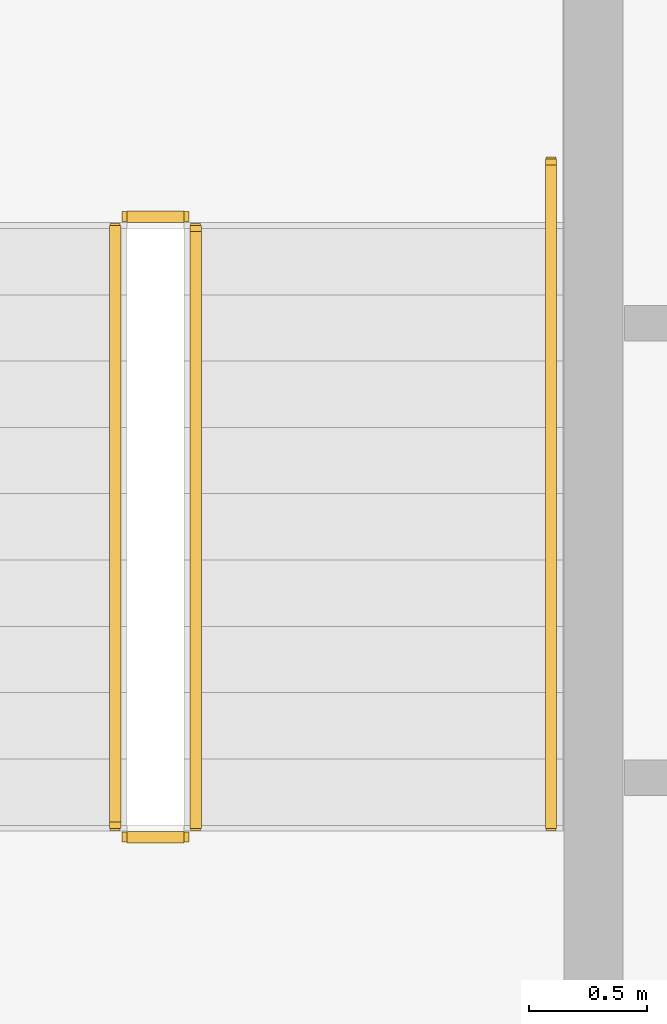
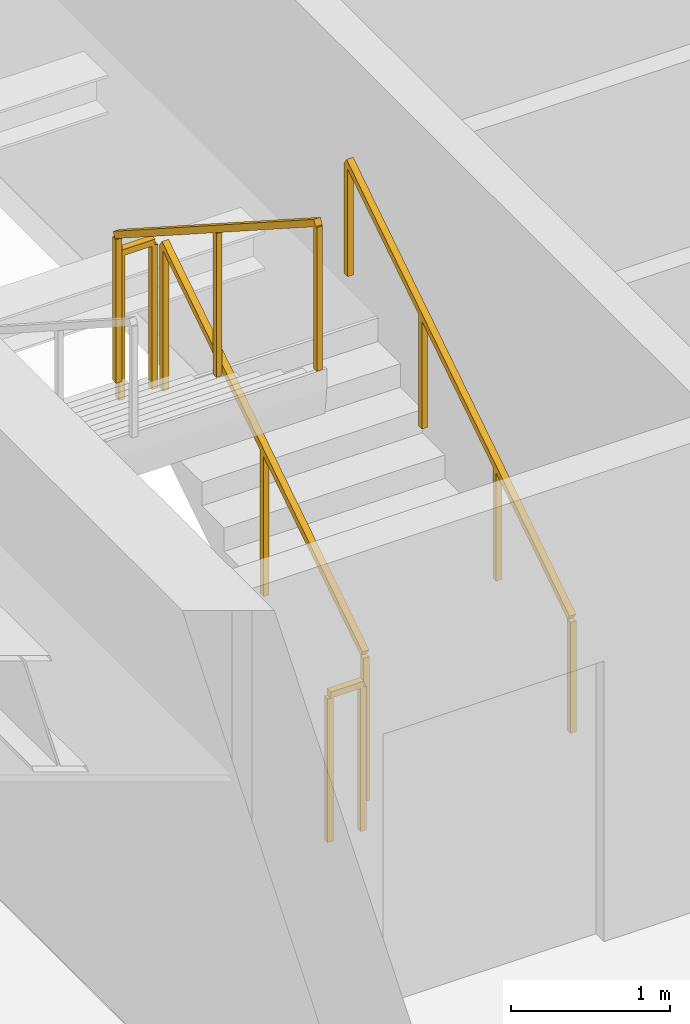
# One storey, part 23 of 25: 5 railings.
"""IFC4 building model written with IfcOpenShell, lengths in metres."""

from ifc_helpers import new_model, si_unit, direction, frame, origin, origin_2d, place, context, subcontext, project, spatial, rectangle, extrude, material, type_object, element, save


model = new_model("IFC4")

# Units and contexts
model_context = context("Model", 3, precision=1e-05, world=origin(), true_north=direction((0.0, 1.0)))
body_context = subcontext(model_context, "Body", "Model", "MODEL_VIEW")
ifc_project = project(units=[si_unit("LENGTHUNIT", "METRE"), si_unit("AREAUNIT", "SQUARE_METRE"), si_unit("VOLUMEUNIT", "CUBIC_METRE"), si_unit("PLANEANGLEUNIT", "RADIAN"), si_unit("MASSUNIT", "GRAM", prefix="KILO")], contexts=[model_context])

# Site, building, storey
site_placement = place(None, origin())
site = spatial("IfcSite", under=ifc_project, at=site_placement, CompositionType="ELEMENT")
building_placement = place(site_placement, origin())
building = spatial("IfcBuilding", under=site, at=building_placement, Name="Sumidabori Civic Tower", CompositionType="ELEMENT")
storey_placement = place(building_placement, frame((0.0, 0.0, 268.39990234375)))
storey = spatial("IfcBuildingStorey", under=building, at=storey_placement, Name="L70", CompositionType="ELEMENT", Elevation=268.39990234375)

# Railings
ifc_material_1 = material(Name="Stainless Steel Hairline Finish", Category="steel")
railing_type_1 = type_object("IfcRailingType", Name="RL-HANDRAIL", PredefinedType="HANDRAIL", material=ifc_material_1)
railing_1_placement = place(storey_placement, frame((-11.949951171875, 16.0, 0.18017578125)))
element("IfcRailing", 1, at=railing_1_placement, inside=storey, type_object=railing_type_1, Name="L70 ST-1 stair handrail 1", PredefinedType="HANDRAIL", context=body_context, shape_type="SweptSolid", body=[
    extrude(rectangle(XDim=0.048095703125, YDim=0.048095703125, at=origin_2d()), frame((0.0, 0.0, 0.8759765625), z_axis=(0.0, 0.840675598268, 0.541539046124), x_axis=(-1.0, 0.0, 0.0)), (0.0, 0.0, 1.0), 3.330810546875),
    extrude(rectangle(XDim=0.0419921875, YDim=0.0419921875, at=origin_2d()), origin(), (0.0, 0.0, 1.0), 0.851806640625),
    extrude(rectangle(XDim=0.0419921875, YDim=0.0419921875, at=origin_2d()), frame((0.0, 0.933349609375, 0.601318359375)), (0.0, 0.0, 1.0), 0.851806640625),
    extrude(rectangle(XDim=0.0419921875, YDim=0.0419921875, at=origin_2d()), frame((0.0, 1.86669921875, 1.202392578125)), (0.0, 0.0, 1.0), 0.851806640625),
    extrude(rectangle(XDim=0.0419921875, YDim=0.0419921875, at=origin_2d()), frame((0.0, 2.800048828125, 1.8037109375)), (0.0, 0.0, 1.0), 0.851806640625),
])
ifc_material_2 = material(Name="Steel SN490", Category="steel")
railing_type_2 = type_object("IfcRailingType", Name="RL-STAIR-GUARD", PredefinedType="GUARDRAIL", material=ifc_material_2)
railing_2_placement = place(storey_placement, frame((-13.449951171875, 16.0, 0.18017578125)))
element("IfcRailing", 2, at=railing_2_placement, inside=storey, type_object=railing_type_2, Name="L70 ST-1 stair guard 1", PredefinedType="GUARDRAIL", context=body_context, shape_type="SweptSolid", body=[
    extrude(rectangle(XDim=0.048095703125, YDim=0.048095703125, at=origin_2d()), frame((0.0, 0.0, 1.1259765625), z_axis=(0.0, 0.841199657755, 0.540724639528), x_axis=(-1.0, 0.0, 0.0)), (0.0, 0.0, 1.0), 2.995849609375),
    extrude(rectangle(XDim=0.0419921875, YDim=0.0419921875, at=origin_2d()), origin(), (0.0, 0.0, 1.0), 1.101806640625),
    extrude(rectangle(XDim=0.0419921875, YDim=0.0419921875, at=origin_2d()), frame((0.0, 1.260009765625, 0.81005859375)), (0.0, 0.0, 1.0), 1.101806640625),
    extrude(rectangle(XDim=0.0419921875, YDim=0.0419921875, at=origin_2d()), frame((0.0, 2.52001953125, 1.619873046875)), (0.0, 0.0, 1.0), 1.101806640625),
])
railing_3_placement = place(storey_placement, frame((-13.5, 18.570068359375, 1.800048828125)))
element("IfcRailing", 3, at=railing_3_placement, inside=storey, type_object=railing_type_2, Name="L70 ST-1 stair guard 2", PredefinedType="GUARDRAIL", context=body_context, shape_type="SweptSolid", body=[
    extrude(rectangle(XDim=0.048095703125, YDim=0.048095703125, at=origin_2d()), frame((0.0, 0.0, 1.1259765625), z_axis=(-1.0, 0.0, 0.0), x_axis=(0.0, -1.0, 0.0)), (0.0, 0.0, 1.0), 0.239990234375),
    extrude(rectangle(XDim=0.0419921875, YDim=0.0419921875, at=origin_2d()), origin(), (0.0, 0.0, 1.0), 1.101806640625),
    extrude(rectangle(XDim=0.0419921875, YDim=0.0419921875, at=origin_2d()), frame((-0.239990234375, 0.0, 0.0)), (0.0, 0.0, 1.0), 1.101806640625),
])
railing_4_placement = place(storey_placement, frame((-13.7900390625, 18.52001953125, 1.97998046875)))
element("IfcRailing", 4, at=railing_4_placement, inside=storey, type_object=railing_type_2, Name="L70 ST-1 stair guard 3", PredefinedType="GUARDRAIL", context=body_context, shape_type="SweptSolid", body=[
    extrude(rectangle(XDim=0.048095703125, YDim=0.048095703125, at=origin_2d()), frame((0.0, 0.0, 1.1259765625), z_axis=(0.0, -0.841162588446, 0.540782303519), x_axis=(1.0, 0.0, 0.0)), (0.0, 0.0, 1.0), 2.995849609375),
    extrude(rectangle(XDim=0.0419921875, YDim=0.0419921875, at=origin_2d()), origin(), (0.0, 0.0, 1.0), 1.101806640625),
    extrude(rectangle(XDim=0.0419921875, YDim=0.0419921875, at=origin_2d()), frame((0.0, -1.260009765625, 0.81005859375)), (0.0, 0.0, 1.0), 1.101806640625),
    extrude(rectangle(XDim=0.0419921875, YDim=0.0419921875, at=origin_2d()), frame((0.0, -2.52001953125, 1.6201171875)), (0.0, 0.0, 1.0), 1.101806640625),
])
railing_5_placement = place(storey_placement, frame((-13.5, 15.949951171875, 0.0)))
element("IfcRailing", 5, at=railing_5_placement, inside=storey, type_object=railing_type_2, Name="L70 ST-1 stair guard 4", PredefinedType="GUARDRAIL", context=body_context, shape_type="SweptSolid", body=[
    extrude(rectangle(XDim=0.048095703125, YDim=0.048095703125, at=origin_2d()), frame((0.0, 0.0, 1.1259765625), z_axis=(-1.0, 0.0, 0.0), x_axis=(0.0, -1.0, 0.0)), (0.0, 0.0, 1.0), 0.239990234375),
    extrude(rectangle(XDim=0.0419921875, YDim=0.0419921875, at=origin_2d()), origin(), (0.0, 0.0, 1.0), 1.101806640625),
    extrude(rectangle(XDim=0.0419921875, YDim=0.0419921875, at=origin_2d()), frame((-0.239990234375, 0.0, 0.0)), (0.0, 0.0, 1.0), 1.101806640625),
])

save(model, "model.ifc")
